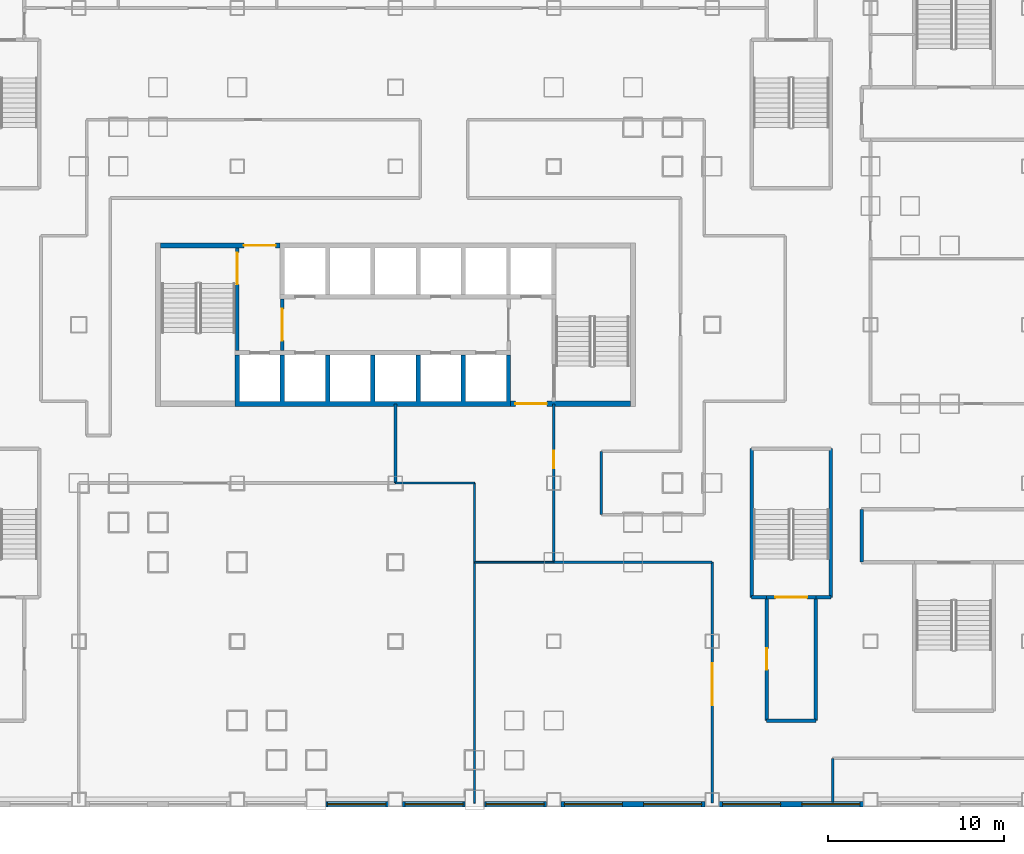
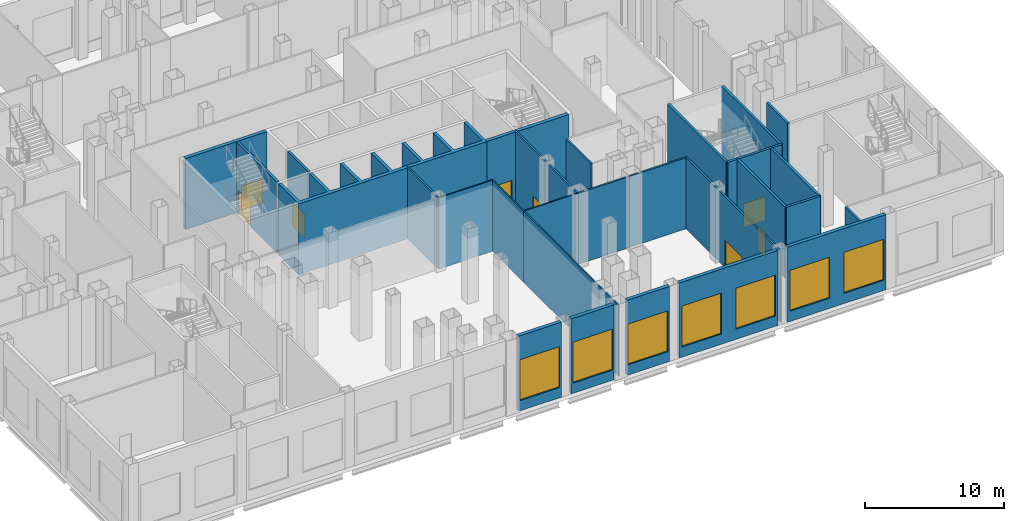
# One storey, part 4 of 26: 29 walls, 8 doors, 7 windows, 15 openings.
"""IFC4 building model written with IfcOpenShell, lengths in metres."""

import ifcopenshell
import ifcopenshell.guid

model = None  # the IFC model being written
_history = None  # IfcOwnerHistory: only IFC2X3 demands one
_inside = {}  # id of a spatial element -> (the spatial element, [elements in it])
_under = {}  # id of a project, library or spatial element -> (it, [spatial elements below it])
_declared = {}  # id of a project -> (the project, [libraries it declares])
_typed = {}  # id of a type object -> (the type object, [elements of that type])
_made_of = {}  # id of a material, layer set ... -> (it, [elements and type objects made of it])


def new_model(schema):
    """Start an empty IFC model of exactly this schema.

    Asked for "IFC4X3", IfcOpenShell would pick the latest addendum, in which some entities
    have other attributes; the version numbers below select the first issue.
    IFC2X3 requires an IfcOwnerHistory on every rooted entity: one is made here for all.
    """
    global model, _history
    if schema == "IFC4X3":
        model = ifcopenshell.file(schema_version=(4, 3, 0, 0))
    else:
        model = ifcopenshell.file(schema=schema)
    _inside.clear()
    _under.clear()
    _declared.clear()
    _typed.clear()
    _made_of.clear()
    _history = None
    if model.schema == "IFC2X3":
        org = make("IfcOrganization", Name="unknown")
        user = make(
            "IfcPersonAndOrganization",
            ThePerson=make("IfcPerson", FamilyName="unknown"),
            TheOrganization=org,
        )
        app = make(
            "IfcApplication",
            ApplicationDeveloper=org,
            Version="unknown",
            ApplicationFullName="unknown",
            ApplicationIdentifier="unknown",
        )
        _history = make(
            "IfcOwnerHistory",
            OwningUser=user,
            OwningApplication=app,
            ChangeAction="ADDED",
            CreationDate=0,
        )
    return model


def make(cls, **values):
    """One entity of the class cls with the attributes given. An attribute that is None is left unset."""
    return model.create_entity(
        cls, **{name: value for name, value in values.items() if value is not None}
    )


def rooted(cls, **values):
    """An entity with a GlobalId (a new one), such as an element, a storey or a relation."""
    return make(cls, GlobalId=ifcopenshell.guid.new(), OwnerHistory=_history, **values)


def si_unit(unit_type, name, prefix=None):
    """IfcSIUnit, for example si_unit("LENGTHUNIT", "METRE", prefix="MILLI")."""
    return make("IfcSIUnit", UnitType=unit_type, Prefix=prefix, Name=name)


def assignment(units):
    """IfcUnitAssignment: the units of a project."""
    return None if units is None else make("IfcUnitAssignment", Units=units)


def point(xyz):
    """IfcCartesianPoint."""
    return None if xyz is None else make("IfcCartesianPoint", Coordinates=xyz)


def direction(xyz):
    """IfcDirection."""
    return None if xyz is None else make("IfcDirection", DirectionRatios=xyz)


def frame(location, z_axis=None, x_axis=None):
    """IfcAxis2Placement3D, a coordinate frame: its origin and axes. An axis left out is left unset."""
    return make(
        "IfcAxis2Placement3D",
        Location=point(location),
        Axis=direction(z_axis),
        RefDirection=direction(x_axis),
    )


def frame_2d(location, x_axis=None):
    """IfcAxis2Placement2D, a coordinate frame in the plane: its origin and x axis."""
    return make(
        "IfcAxis2Placement2D", Location=point(location), RefDirection=direction(x_axis)
    )


def origin():
    """The frame at (0, 0, 0) with its axes left unset."""
    return frame((0.0, 0.0, 0.0))


def place(relative_to, where):
    """IfcLocalPlacement: puts the frame where relative to a parent placement (None: the world)."""
    return make(
        "IfcLocalPlacement", PlacementRelTo=relative_to, RelativePlacement=where
    )


def context(
    kind, dimensions, precision=None, world=None, true_north=None, identifier=None
):
    """IfcGeometricRepresentationContext, for example the 3D "Model" context."""
    return make(
        "IfcGeometricRepresentationContext",
        ContextIdentifier=identifier,
        ContextType=kind,
        CoordinateSpaceDimension=dimensions,
        Precision=precision,
        WorldCoordinateSystem=world,
        TrueNorth=true_north,
    )


def subcontext(parent, identifier, kind, view, scale=None):
    """IfcGeometricRepresentationSubContext, for example "Body" below "Model"."""
    return make(
        "IfcGeometricRepresentationSubContext",
        ContextIdentifier=identifier,
        ContextType=kind,
        ParentContext=parent,
        TargetScale=scale,
        TargetView=view,
    )


def project(units=None, contexts=None):
    """IfcProject with its units and contexts."""
    return rooted(
        "IfcProject",
        Name="project",
        RepresentationContexts=contexts,
        UnitsInContext=assignment(units),
    )


def spatial(cls, under=None, at=None, **own):
    """A site, building, storey or space (cls), placed at a placement, below another one or the project."""
    s = rooted(cls, ObjectPlacement=at, **own)
    if under is not None:
        _under.setdefault(under.id(), (under, []))[1].append(s)
    return s


def polyline(points):
    """IfcPolyline through the points."""
    return make("IfcPolyline", Points=[point(p) for p in points])


def profile(cls, at=None, kind="AREA", **sizes):
    """A parametric profile (cls). Its sizes go by their IFC names, for example OverallWidth=200.0."""
    return make(cls, ProfileType=kind, Position=at, **sizes)


def rectangle(**sizes):
    """IfcRectangleProfileDef."""
    return profile("IfcRectangleProfileDef", **sizes)


def outline(outer, holes=None, kind="AREA"):
    """IfcArbitraryClosedProfileDef: a profile drawn as a closed curve; with holes, ...WithVoids."""
    if holes is None:
        return make("IfcArbitraryClosedProfileDef", ProfileType=kind, OuterCurve=outer)
    return make(
        "IfcArbitraryProfileDefWithVoids",
        ProfileType=kind,
        OuterCurve=outer,
        InnerCurves=holes,
    )


def extrude(swept, where, along, depth):
    """IfcExtrudedAreaSolid: the profile swept, set in the frame where, extruded along a direction by depth."""
    return make(
        "IfcExtrudedAreaSolid",
        SweptArea=swept,
        Position=where,
        ExtrudedDirection=direction(along),
        Depth=depth,
    )


def shape(context_of_items, identifier, shape_type, items):
    """IfcShapeRepresentation: the items that make up one representation, for example the "Body"."""
    return make(
        "IfcShapeRepresentation",
        ContextOfItems=context_of_items,
        RepresentationIdentifier=identifier,
        RepresentationType=shape_type,
        Items=items,
    )


def material(Name=None, Category=None):
    """IfcMaterial."""
    return make("IfcMaterial", Name=Name, Category=Category)


def layer(
    of_material, thickness, ventilated=None, Name=None, Category=None, Priority=None
):
    """IfcMaterialLayer: one layer of a wall or slab, of a material (None: an air gap)."""
    return make(
        "IfcMaterialLayer",
        Material=of_material,
        LayerThickness=thickness,
        IsVentilated=ventilated,
        Name=Name,
        Category=Category,
        Priority=Priority,
    )


def layer_set(layers, Name=None):
    """IfcMaterialLayerSet."""
    return make("IfcMaterialLayerSet", MaterialLayers=layers, LayerSetName=Name)


def made_of(thing, what):
    """Note that an element or type object is made of a material, layer set ...; save() writes the relation."""
    if what is not None:
        _made_of.setdefault(what.id(), (what, []))[1].append(thing)
    return thing


def type_object(cls, material=None, **own):
    """A type object (cls), such as IfcWallType, which elements share."""
    return made_of(rooted(cls, **own), material)


def element(
    cls,
    number,
    at=None,
    inside=None,
    cuts=None,
    type_object=None,
    material=None,
    context=None,
    identifier="Body",
    shape_type=None,
    held_by="IfcProductDefinitionShape",
    body=None,
    shapes=None,
    **own,
):
    """One element of the class cls, such as IfcWall. Its Tag is "e" and its number.

    at: its placement. inside: the storey or other place that contains it. cuts: it is an
    opening in that element (IfcRelVoidsElement). A single representation is given by context,
    identifier, shape_type and body (its items); several are given by shapes. held_by: the class
    of the entity that holds the representations. save() writes the other relations.
    """
    e = rooted(cls, Tag="e%d" % number, ObjectPlacement=at, **own)
    if body is not None:
        shapes = [shape(context, identifier, shape_type, body)]
    if shapes is not None:
        e.Representation = make(held_by, Representations=shapes)
    if inside is not None:
        _inside.setdefault(inside.id(), (inside, []))[1].append(e)
    if cuts is not None:
        rooted(
            "IfcRelVoidsElement", RelatingBuildingElement=cuts, RelatedOpeningElement=e
        )
    if type_object is not None:
        _typed.setdefault(type_object.id(), (type_object, []))[1].append(e)
    return made_of(e, material)


def fill(opening, filler):
    """IfcRelFillsElement: the door or window that sits in an opening."""
    return rooted(
        "IfcRelFillsElement",
        RelatingOpeningElement=opening,
        RelatedBuildingElement=filler,
    )


def aggregate(whole, parts):
    """IfcRelAggregates: a whole, such as a stair, and the parts it consists of."""
    return rooted("IfcRelAggregates", RelatingObject=whole, RelatedObjects=parts)


def save(model, path):
    """Write the relations noted so far, then the file.

    IfcRelAggregates (storeys below a building ...), IfcRelContainedInSpatialStructure (elements
    in a storey), IfcRelDefinesByType, IfcRelAssociatesMaterial and IfcRelDeclares: one each for
    every whole, place, type object, material and project.
    """
    for whole, parts in _under.values():
        aggregate(whole, parts)
    for where, things in _inside.values():
        rooted(
            "IfcRelContainedInSpatialStructure",
            RelatedElements=things,
            RelatingStructure=where,
        )
    for kind, things in _typed.values():
        rooted("IfcRelDefinesByType", RelatedObjects=things, RelatingType=kind)
    for what, things in _made_of.values():
        rooted("IfcRelAssociatesMaterial", RelatedObjects=things, RelatingMaterial=what)
    for by, libraries in _declared.values():
        rooted("IfcRelDeclares", RelatingContext=by, RelatedDefinitions=libraries)
    model.write(path)


model = new_model("IFC4")

# Units and contexts
model_context = context("Model", 3, precision=1e-05, world=origin(), true_north=direction((0.0, 1.0)))
body_context = subcontext(model_context, "Body", "Model", "MODEL_VIEW")
ifc_project = project(units=[si_unit("LENGTHUNIT", "METRE"), si_unit("AREAUNIT", "SQUARE_METRE"), si_unit("VOLUMEUNIT", "CUBIC_METRE"), si_unit("PLANEANGLEUNIT", "RADIAN"), si_unit("MASSUNIT", "GRAM", prefix="KILO")], contexts=[model_context])

# Site, building, storey
site_placement = place(None, origin())
site = spatial("IfcSite", under=ifc_project, at=site_placement, CompositionType="ELEMENT")
building_placement = place(site_placement, origin())
building = spatial("IfcBuilding", under=site, at=building_placement, Name="Caravel Reach Hotel and Residences", CompositionType="ELEMENT")
storey_placement = place(building_placement, frame((0.0, 0.0, 17.39990234375)))
storey = spatial("IfcBuildingStorey", under=building, at=storey_placement, Name="L03", CompositionType="ELEMENT", Elevation=17.39990234375)

# Wall
ifc_material_1 = material(Name="Autoclaved aerated block wall")
ifc_layer_1 = layer(ifc_material_1, 0.199951171875)
ifc_layer_set_1 = layer_set([ifc_layer_1], Name="Compartment wall 200 mm EI 120")
wall_type_1 = type_object("IfcWallType", Name="Compartment wall 200 mm EI 120", PredefinedType="PARTITIONING", material=ifc_layer_set_1)
wall_1_placement = place(storey_placement, frame((52.60009765625, 4.5, 0.0), z_axis=(0.0, 0.0, 1.0), x_axis=(1.0, 0.0, 0.0)))
element("IfcWall", 1, at=wall_1_placement, inside=storey, type_object=wall_type_1, Name="L03 wall w078", PredefinedType="PARTITIONING", context=body_context, shape_type="SweptSolid", body=[
    extrude(rectangle(XDim=2.7998046875, YDim=0.199951171875, at=frame_2d((1.39990234375, 0.0))), origin(), (0.0, 0.0, 1.0), 6.25),
])

# Wall, opening, door
wall_2_placement = place(storey_placement, frame((52.60009765625, 4.5, 0.0), z_axis=(0.0, 0.0, 1.0), x_axis=(0.0, 1.0, 0.0)))
wall_2 = element("IfcWall", 2, at=wall_2_placement, inside=storey, type_object=wall_type_1, Name="L03 wall w091", PredefinedType="PARTITIONING", context=body_context, shape_type="SweptSolid", body=[
    extrude(rectangle(XDim=7.0, YDim=0.199951171875, at=frame_2d((3.5, 0.0))), origin(), (0.0, 0.0, 1.0), 6.25),
])
opening_1_placement = place(wall_2_placement, frame((2.89990234375, 0.0, 0.0)))
opening_1 = element("IfcOpeningElement", 3, at=opening_1_placement, cuts=wall_2, Name="Opening D03-020", PredefinedType="OPENING", context=body_context, shape_type="SweptSolid", body=[
    extrude(rectangle(XDim=1.199951171875, YDim=2.10009765625, at=frame_2d((0.60009765625, 1.050048828125))), frame((0.0, 0.10986328125, 0.0), z_axis=(0.0, -1.0, 0.0), x_axis=(1.0, 0.0, 0.0)), (0.0, 0.0, 1.0), 0.219970703125),
])
ifc_material_2 = material(Name="Steel fire door leaf", Category="steel")
door_type_1 = type_object("IfcDoorType", Name="Fire lobby door 1200 x 2100 EI 90", OperationType="SINGLE_SWING_LEFT", PredefinedType="DOOR", material=ifc_material_2)
door_1_placement = place(opening_1_placement, origin())
door_1 = element("IfcDoor", 4, at=door_1_placement, inside=storey, type_object=door_type_1, Name="door D03-020", OperationType="SINGLE_SWING_RIGHT", OverallHeight=2.10009765625, OverallWidth=1.199951171875, PredefinedType="DOOR", context=body_context, shape_type="SweptSolid", body=[
    extrude(rectangle(XDim=1.199951171875, YDim=2.10009765625, at=frame_2d((0.60009765625, 1.050048828125))), frame((0.0, 0.02490234375, 0.0), z_axis=(0.0, -1.0, 0.0), x_axis=(1.0, 0.0, 0.0)), (0.0, 0.0, 1.0), 0.050048828125),
])
fill(opening_1, door_1)

# Walls
wall_3_placement = place(storey_placement, frame((55.39990234375, 4.5, 0.0), z_axis=(0.0, 0.0, 1.0), x_axis=(0.0, 1.0, 0.0)))
element("IfcWall", 5, at=wall_3_placement, inside=storey, type_object=wall_type_1, Name="L03 wall w093", PredefinedType="PARTITIONING", context=body_context, shape_type="SweptSolid", body=[
    extrude(rectangle(XDim=7.0, YDim=0.199951171875, at=frame_2d((3.5, 0.0))), origin(), (0.0, 0.0, 1.0), 6.25),
])
wall_4_placement = place(storey_placement, frame((58.0, 13.5, 0.0), z_axis=(0.0, 0.0, 1.0), x_axis=(0.0, 1.0, 0.0)))
element("IfcWall", 6, at=wall_4_placement, inside=storey, type_object=wall_type_1, Name="L03 wall w095", PredefinedType="PARTITIONING", context=body_context, shape_type="SweptSolid", body=[
    extrude(rectangle(XDim=3.0, YDim=0.199951171875, at=frame_2d((1.5, 0.0))), origin(), (0.0, 0.0, 1.0), 6.25),
])

# Wall, opening, door
ifc_material_3 = material(Name="Concrete C60", Category="concrete")
ifc_layer_2 = layer(ifc_material_3, 0.300048828125)
ifc_layer_set_2 = layer_set([ifc_layer_2], Name="Core wall 300 mm EI 120")
wall_type_2 = type_object("IfcWallType", Name="Core wall 300 mm EI 120", PredefinedType="SHEAR", material=ifc_layer_set_2)
wall_5_placement = place(storey_placement, frame((38.053466796875, 22.5, 0.0), z_axis=(0.0, 0.0, 1.0), x_axis=(1.0, 0.0, 0.0)))
wall_5 = element("IfcWall", 7, at=wall_5_placement, inside=storey, type_object=wall_type_2, Name="L03 core wall S2", PredefinedType="SHEAR", context=body_context, shape_type="SweptSolid", body=[
    extrude(rectangle(XDim=6.796630859375, YDim=0.300048828125, at=frame_2d((3.3984375, 0.0))), origin(), (0.0, 0.0, 1.0), 6.25),
])
opening_2_placement = place(wall_5_placement, frame((0.2607421875, 0.0, 0.0)))
opening_2 = element("IfcOpeningElement", 8, at=opening_2_placement, cuts=wall_5, Name="Opening D03-013", PredefinedType="OPENING", context=body_context, shape_type="SweptSolid", body=[
    extrude(rectangle(XDim=1.800048828125, YDim=2.10009765625, at=frame_2d((0.89990234375, 1.050048828125))), frame((0.0, 0.159912109375, 0.0), z_axis=(0.0, -1.0, 0.0), x_axis=(1.0, 0.0, 0.0)), (0.0, 0.0, 1.0), 0.320068359375),
])
ifc_material_4 = material(Name="Steel fire door leaf", Category="steel")
door_type_2 = type_object("IfcDoorType", Name="Fire lobby door pair 1800 x 2100 EI 90", OperationType="DOUBLE_DOOR_SINGLE_SWING", PredefinedType="DOOR", material=ifc_material_4)
door_2_placement = place(opening_2_placement, origin())
door_2 = element("IfcDoor", 9, at=door_2_placement, inside=storey, type_object=door_type_2, Name="lobby S door pair to corridor", OperationType="DOUBLE_DOOR_SINGLE_SWING", OverallHeight=2.10009765625, OverallWidth=1.800048828125, PredefinedType="DOOR", context=body_context, shape_type="SweptSolid", body=[
    extrude(rectangle(XDim=1.800048828125, YDim=2.10009765625, at=frame_2d((0.89990234375, 1.050048828125))), frame((0.0, 0.02490234375, 0.0), z_axis=(0.0, -1.0, 0.0), x_axis=(1.0, 0.0, 0.0)), (0.0, 0.0, 1.0), 0.050048828125),
])
fill(opening_2, door_2)

wall_6_placement = place(storey_placement, frame((18.14990234375, 31.5, 0.0), z_axis=(0.0, 0.0, 1.0), x_axis=(1.0, 0.0, 0.0)))
wall_6 = element("IfcWall", 10, at=wall_6_placement, inside=storey, type_object=wall_type_2, Name="L03 core wall N1", PredefinedType="SHEAR", context=body_context, shape_type="SweptSolid", body=[
    extrude(rectangle(XDim=6.796630859375, YDim=0.300048828125, at=frame_2d((3.3984375, 0.0))), origin(), (0.0, 0.0, 1.0), 6.25),
])
opening_3_placement = place(wall_6_placement, frame((4.735595703125, 0.0, 0.0)))
opening_3 = element("IfcOpeningElement", 11, at=opening_3_placement, cuts=wall_6, Name="Opening D03-012", PredefinedType="OPENING", context=body_context, shape_type="SweptSolid", body=[
    extrude(rectangle(XDim=1.800048828125, YDim=2.10009765625, at=frame_2d((0.89990234375, 1.050048828125))), frame((0.0, 0.159912109375, 0.0), z_axis=(0.0, -1.0, 0.0), x_axis=(1.0, 0.0, 0.0)), (0.0, 0.0, 1.0), 0.320068359375),
])
door_3_placement = place(opening_3_placement, origin())
door_3 = element("IfcDoor", 12, at=door_3_placement, inside=storey, type_object=door_type_2, Name="lobby N door pair to corridor", OperationType="DOUBLE_DOOR_SINGLE_SWING", OverallHeight=2.10009765625, OverallWidth=1.800048828125, PredefinedType="DOOR", context=body_context, shape_type="SweptSolid", body=[
    extrude(rectangle(XDim=1.800048828125, YDim=2.10009765625, at=frame_2d((0.89990234375, 1.050048828125))), frame((0.0, 0.02490234375, 0.0), z_axis=(0.0, -1.0, 0.0), x_axis=(1.0, 0.0, 0.0)), (0.0, 0.0, 1.0), 0.050048828125),
])
fill(opening_3, door_3)

# Walls
ifc_material_5 = material(Name="Gypsum board on steel stud, fire-rated", Category="steel")
ifc_layer_3 = layer(ifc_material_5, 0.14990234375)
ifc_layer_set_3 = layer_set([ifc_layer_3], Name="Corridor wall 150 mm EI 60")
wall_type_3 = type_object("IfcWallType", Name="Corridor wall 150 mm EI 60", PredefinedType="PARTITIONING", material=ifc_layer_set_3)
wall_7_placement = place(storey_placement, frame((40.5, 13.5, 0.0), z_axis=(0.0, 0.0, 1.0), x_axis=(1.0, 0.0, 0.0)))
element("IfcWall", 13, at=wall_7_placement, inside=storey, type_object=wall_type_3, Name="L03 wall w003", PredefinedType="PARTITIONING", context=body_context, shape_type="SweptSolid", body=[
    extrude(rectangle(XDim=9.0, YDim=0.14990234375, at=frame_2d((4.5, 0.0))), origin(), (0.0, 0.0, 1.0), 6.25),
])
wall_8_placement = place(storey_placement, frame((31.5, 18.0, 0.0), z_axis=(0.0, 0.0, 1.0), x_axis=(0.0, 1.0, 0.0)))
element("IfcWall", 14, at=wall_8_placement, inside=storey, type_object=wall_type_3, Name="L03 wall w039", PredefinedType="PARTITIONING", context=body_context, shape_type="SweptSolid", body=[
    extrude(rectangle(XDim=4.5, YDim=0.14990234375, at=frame_2d((2.25, 0.0))), origin(), (0.0, 0.0, 1.0), 6.25),
])

# Wall, opening, door
wall_9_placement = place(storey_placement, frame((40.5, 13.5, 0.0), z_axis=(0.0, 0.0, 1.0), x_axis=(0.0, 1.0, 0.0)))
wall_9 = element("IfcWall", 15, at=wall_9_placement, inside=storey, type_object=wall_type_3, Name="L03 wall w045", PredefinedType="PARTITIONING", context=body_context, shape_type="SweptSolid", body=[
    extrude(rectangle(XDim=9.0, YDim=0.14990234375, at=frame_2d((4.5, 0.0))), origin(), (0.0, 0.0, 1.0), 6.25),
])
opening_4_placement = place(wall_9_placement, frame((5.35009765625, 0.0, 0.0)))
opening_4 = element("IfcOpeningElement", 16, at=opening_4_placement, cuts=wall_9, Name="Opening D03-044", PredefinedType="OPENING", context=body_context, shape_type="SweptSolid", body=[
    extrude(rectangle(XDim=1.0, YDim=2.10009765625, at=frame_2d((0.5, 1.050048828125))), frame((0.0, 0.0849609375, 0.0), z_axis=(0.0, -1.0, 0.0), x_axis=(1.0, 0.0, 0.0)), (0.0, 0.0, 1.0), 0.169921875),
])
ifc_material_6 = material(Name="Steel fire door leaf", Category="steel")
door_type_3 = type_object("IfcDoorType", Name="Fire door 1000 x 2100 EI 60", OperationType="SINGLE_SWING_LEFT", PredefinedType="DOOR", material=ifc_material_6)
door_4_placement = place(opening_4_placement, origin())
door_4 = element("IfcDoor", 17, at=door_4_placement, inside=storey, type_object=door_type_3, Name="door D03-044", OperationType="SINGLE_SWING_RIGHT", OverallHeight=2.10009765625, OverallWidth=1.0, PredefinedType="DOOR", context=body_context, shape_type="SweptSolid", body=[
    extrude(rectangle(XDim=1.0, YDim=2.10009765625, at=frame_2d((0.5, 1.050048828125))), frame((0.0, 0.02490234375, 0.0), z_axis=(0.0, -1.0, 0.0), x_axis=(1.0, 0.0, 0.0)), (0.0, 0.0, 1.0), 0.050048828125),
])
fill(opening_4, door_4)

# Wall
wall_10_placement = place(storey_placement, frame((43.199951171875, 16.199951171875, 0.0), z_axis=(0.0, 0.0, 1.0), x_axis=(0.0, 1.0, 0.0)))
element("IfcWall", 18, at=wall_10_placement, inside=storey, type_object=wall_type_3, Name="L03 wall w046", PredefinedType="PARTITIONING", context=body_context, shape_type="SweptSolid", body=[
    extrude(rectangle(XDim=3.60009765625, YDim=0.14990234375, at=frame_2d((1.800048828125, 0.0))), origin(), (0.0, 0.0, 1.0), 6.25),
])

# Wall, opening, door
wall_11_placement = place(storey_placement, frame((49.5, -0.18994140625, 0.0), z_axis=(0.0, 0.0, 1.0), x_axis=(0.0, 1.0, 0.0)))
wall_11 = element("IfcWall", 19, at=wall_11_placement, inside=storey, type_object=wall_type_3, Name="L03 wall w050", PredefinedType="PARTITIONING", context=body_context, shape_type="SweptSolid", body=[
    extrude(rectangle(XDim=13.68994140625, YDim=0.14990234375, at=frame_2d((6.844970703125, 0.0))), origin(), (0.0, 0.0, 1.0), 6.25),
])
opening_5_placement = place(wall_11_placement, frame((5.550048828125, 0.0, 0.0)))
opening_5 = element("IfcOpeningElement", 20, at=opening_5_placement, cuts=wall_11, Name="Opening D03-043", PredefinedType="OPENING", context=body_context, shape_type="SweptSolid", body=[
    extrude(rectangle(XDim=2.39990234375, YDim=2.39990234375, at=frame_2d((1.199951171875, 1.199951171875))), frame((0.0, 0.0849609375, 0.0), z_axis=(0.0, -1.0, 0.0), x_axis=(1.0, 0.0, 0.0)), (0.0, 0.0, 1.0), 0.169921875),
])
ifc_material_7 = material(Name="Timber and steel door leaf", Category="steel")
door_type_4 = type_object("IfcDoorType", Name="Glazed door pair 2400 x 2400", OperationType="DOUBLE_DOOR_SINGLE_SWING", PredefinedType="DOOR", material=ifc_material_7)
door_5_placement = place(opening_5_placement, origin())
door_5 = element("IfcDoor", 21, at=door_5_placement, inside=storey, type_object=door_type_4, Name="door D03-043", OperationType="DOUBLE_DOOR_SINGLE_SWING", OverallHeight=2.39990234375, OverallWidth=2.39990234375, PredefinedType="DOOR", context=body_context, shape_type="SweptSolid", body=[
    extrude(rectangle(XDim=2.39990234375, YDim=2.39990234375, at=frame_2d((1.199951171875, 1.199951171875))), frame((0.0, 0.02490234375, 0.0), z_axis=(0.0, -1.0, 0.0), x_axis=(1.0, 0.0, 0.0)), (0.0, 0.0, 1.0), 0.050048828125),
])
fill(opening_5, door_5)

# Wall
wall_12_placement = place(storey_placement, frame((56.35009765625, -0.1201171875, 0.0), z_axis=(0.0, 0.0, 1.0), x_axis=(0.0, 1.0, 0.0)))
element("IfcWall", 22, at=wall_12_placement, inside=storey, type_object=wall_type_3, Name="L03 wall w052", PredefinedType="PARTITIONING", context=body_context, shape_type="SweptSolid", body=[
    extrude(rectangle(XDim=2.47021484375, YDim=0.14990234375, at=frame_2d((1.235107421875, 0.0))), origin(), (0.0, 0.0, 1.0), 6.25),
])

# Wall, opening, window
ifc_material_8 = material(Name="Insulated wall, stone cladding", Category="masonry")
ifc_layer_4 = layer(ifc_material_8, 0.300048828125)
ifc_layer_set_4 = layer_set([ifc_layer_4], Name="EW2 Podium stone-clad wall")
wall_type_4 = type_object("IfcWallType", Name="EW2 Podium stone-clad wall", PredefinedType="SOLIDWALL", material=ifc_layer_set_4)
wall_13_placement = place(storey_placement, frame((27.550048828125, -0.25, 0.0), z_axis=(0.0, 0.0, 1.0), x_axis=(1.0, 0.0, 0.0)))
wall_13 = element("IfcWall", 23, at=wall_13_placement, inside=storey, type_object=wall_type_4, Name="External wall L03 S4.5", PredefinedType="SOLIDWALL", context=body_context, shape_type="SweptSolid", body=[
    extrude(rectangle(XDim=3.550048828125, YDim=0.300048828125, at=frame_2d((1.77490234375, 0.0))), origin(), (0.0, 0.0, 1.0), 6.60009765625),
])
opening_6_placement = place(wall_13_placement, frame((0.10009765625, 0.0, 0.89990234375)))
opening_6 = element("IfcOpeningElement", 24, at=opening_6_placement, cuts=wall_13, Name="Opening WN31", PredefinedType="OPENING", context=body_context, shape_type="SweptSolid", body=[
    extrude(rectangle(XDim=3.300048828125, YDim=3.60009765625, at=frame_2d((1.64990234375, 1.800048828125))), frame((0.0, 0.159912109375, 0.0), z_axis=(0.0, -1.0, 0.0), x_axis=(1.0, 0.0, 0.0)), (0.0, 0.0, 1.0), 0.320068359375),
])
ifc_material_9 = material(Name="Dark low-e glazing in black aluminium frame", Category="aluminium")
window_type = type_object("IfcWindowType", Name="Podium window 3300 x 3600", PartitioningType="SINGLE_PANEL", PredefinedType="WINDOW", material=ifc_material_9)
window_1_placement = place(opening_6_placement, origin())
window_1 = element("IfcWindow", 25, at=window_1_placement, inside=storey, type_object=window_type, Name="Window L03 S4.5.1", OverallHeight=3.60009765625, OverallWidth=3.300048828125, PartitioningType="SINGLE_PANEL", PredefinedType="WINDOW", context=body_context, shape_type="SweptSolid", body=[
    extrude(rectangle(XDim=3.300048828125, YDim=3.60009765625, at=frame_2d((1.64990234375, 1.800048828125))), frame((0.0, 0.030029296875, 0.0), z_axis=(0.0, -1.0, 0.0), x_axis=(1.0, 0.0, 0.0)), (0.0, 0.0, 1.0), 0.06005859375),
])
fill(opening_6, window_1)

wall_14_placement = place(storey_placement, frame((31.89990234375, -0.25, 0.0), z_axis=(0.0, 0.0, 1.0), x_axis=(1.0, 0.0, 0.0)))
wall_14 = element("IfcWall", 26, at=wall_14_placement, inside=storey, type_object=wall_type_4, Name="External wall L03 S4.6", PredefinedType="SOLIDWALL", context=body_context, shape_type="SweptSolid", body=[
    extrude(rectangle(XDim=3.550048828125, YDim=0.300048828125, at=frame_2d((1.77490234375, 0.0))), origin(), (0.0, 0.0, 1.0), 6.60009765625),
])
opening_7_placement = place(wall_14_placement, frame((0.14990234375, 0.0, 0.89990234375)))
opening_7 = element("IfcOpeningElement", 27, at=opening_7_placement, cuts=wall_14, Name="Opening WN31", PredefinedType="OPENING", context=body_context, shape_type="SweptSolid", body=[
    extrude(rectangle(XDim=3.300048828125, YDim=3.60009765625, at=frame_2d((1.64990234375, 1.800048828125))), frame((0.0, 0.159912109375, 0.0), z_axis=(0.0, -1.0, 0.0), x_axis=(1.0, 0.0, 0.0)), (0.0, 0.0, 1.0), 0.320068359375),
])
window_2_placement = place(opening_7_placement, origin())
window_2 = element("IfcWindow", 28, at=window_2_placement, inside=storey, type_object=window_type, Name="Window L03 S4.6.1", OverallHeight=3.60009765625, OverallWidth=3.300048828125, PartitioningType="SINGLE_PANEL", PredefinedType="WINDOW", context=body_context, shape_type="SweptSolid", body=[
    extrude(rectangle(XDim=3.300048828125, YDim=3.60009765625, at=frame_2d((1.64990234375, 1.800048828125))), frame((0.0, 0.030029296875, 0.0), z_axis=(0.0, -1.0, 0.0), x_axis=(1.0, 0.0, 0.0)), (0.0, 0.0, 1.0), 0.06005859375),
])
fill(opening_7, window_2)

wall_15_placement = place(storey_placement, frame((36.550048828125, -0.25, 0.0), z_axis=(0.0, 0.0, 1.0), x_axis=(1.0, 0.0, 0.0)))
wall_15 = element("IfcWall", 29, at=wall_15_placement, inside=storey, type_object=wall_type_4, Name="External wall L03 S4.7", PredefinedType="SOLIDWALL", context=body_context, shape_type="SweptSolid", body=[
    extrude(rectangle(XDim=3.550048828125, YDim=0.300048828125, at=frame_2d((1.77490234375, 0.0))), origin(), (0.0, 0.0, 1.0), 6.60009765625),
])
opening_8_placement = place(wall_15_placement, frame((0.10009765625, 0.0, 0.89990234375)))
opening_8 = element("IfcOpeningElement", 30, at=opening_8_placement, cuts=wall_15, Name="Opening WN31", PredefinedType="OPENING", context=body_context, shape_type="SweptSolid", body=[
    extrude(rectangle(XDim=3.300048828125, YDim=3.60009765625, at=frame_2d((1.64990234375, 1.800048828125))), frame((0.0, 0.159912109375, 0.0), z_axis=(0.0, -1.0, 0.0), x_axis=(1.0, 0.0, 0.0)), (0.0, 0.0, 1.0), 0.320068359375),
])
window_3_placement = place(opening_8_placement, origin())
window_3 = element("IfcWindow", 31, at=window_3_placement, inside=storey, type_object=window_type, Name="Window L03 S4.7.1", OverallHeight=3.60009765625, OverallWidth=3.300048828125, PartitioningType="SINGLE_PANEL", PredefinedType="WINDOW", context=body_context, shape_type="SweptSolid", body=[
    extrude(rectangle(XDim=3.300048828125, YDim=3.60009765625, at=frame_2d((1.64990234375, 1.800048828125))), frame((0.0, 0.030029296875, 0.0), z_axis=(0.0, -1.0, 0.0), x_axis=(1.0, 0.0, 0.0)), (0.0, 0.0, 1.0), 0.06005859375),
])
fill(opening_8, window_3)

# Wall, openings, windows
wall_16_placement = place(storey_placement, frame((40.89990234375, -0.25, 0.0), z_axis=(0.0, 0.0, 1.0), x_axis=(1.0, 0.0, 0.0)))
wall_16 = element("IfcWall", 32, at=wall_16_placement, inside=storey, type_object=wall_type_4, Name="External wall L03 S4.8", PredefinedType="SOLIDWALL", context=body_context, shape_type="SweptSolid", body=[
    extrude(rectangle(XDim=8.2001953125, YDim=0.300048828125, at=frame_2d((4.10009765625, 0.0))), origin(), (0.0, 0.0, 1.0), 6.60009765625),
])
opening_9_placement = place(wall_16_placement, frame((0.199951171875, 0.0, 0.89990234375)))
opening_9 = element("IfcOpeningElement", 33, at=opening_9_placement, cuts=wall_16, Name="Opening WN31", PredefinedType="OPENING", context=body_context, shape_type="SweptSolid", body=[
    extrude(rectangle(XDim=3.300048828125, YDim=3.60009765625, at=frame_2d((1.64990234375, 1.800048828125))), frame((0.0, 0.159912109375, 0.0), z_axis=(0.0, -1.0, 0.0), x_axis=(1.0, 0.0, 0.0)), (0.0, 0.0, 1.0), 0.320068359375),
])
opening_10_placement = place(wall_16_placement, frame((4.699951171875, 0.0, 0.89990234375)))
opening_10 = element("IfcOpeningElement", 34, at=opening_10_placement, cuts=wall_16, Name="Opening WN31", PredefinedType="OPENING", context=body_context, shape_type="SweptSolid", body=[
    extrude(rectangle(XDim=3.300048828125, YDim=3.60009765625, at=frame_2d((1.64990234375, 1.800048828125))), frame((0.0, 0.159912109375, 0.0), z_axis=(0.0, -1.0, 0.0), x_axis=(1.0, 0.0, 0.0)), (0.0, 0.0, 1.0), 0.320068359375),
])
window_4_placement = place(opening_9_placement, origin())
window_4 = element("IfcWindow", 35, at=window_4_placement, inside=storey, type_object=window_type, Name="Window L03 S4.8.1", OverallHeight=3.60009765625, OverallWidth=3.300048828125, PartitioningType="SINGLE_PANEL", PredefinedType="WINDOW", context=body_context, shape_type="SweptSolid", body=[
    extrude(rectangle(XDim=3.300048828125, YDim=3.60009765625, at=frame_2d((1.64990234375, 1.800048828125))), frame((0.0, 0.030029296875, 0.0), z_axis=(0.0, -1.0, 0.0), x_axis=(1.0, 0.0, 0.0)), (0.0, 0.0, 1.0), 0.06005859375),
])
fill(opening_9, window_4)
window_5_placement = place(opening_10_placement, origin())
window_5 = element("IfcWindow", 36, at=window_5_placement, inside=storey, type_object=window_type, Name="Window L03 S4.8.2", OverallHeight=3.60009765625, OverallWidth=3.300048828125, PartitioningType="SINGLE_PANEL", PredefinedType="WINDOW", context=body_context, shape_type="SweptSolid", body=[
    extrude(rectangle(XDim=3.300048828125, YDim=3.60009765625, at=frame_2d((1.64990234375, 1.800048828125))), frame((0.0, 0.030029296875, 0.0), z_axis=(0.0, -1.0, 0.0), x_axis=(1.0, 0.0, 0.0)), (0.0, 0.0, 1.0), 0.06005859375),
])
fill(opening_10, window_5)

wall_17_placement = place(storey_placement, frame((49.89990234375, -0.25, 0.0), z_axis=(0.0, 0.0, 1.0), x_axis=(1.0, 0.0, 0.0)))
wall_17 = element("IfcWall", 37, at=wall_17_placement, inside=storey, type_object=wall_type_4, Name="External wall L03 S4.9", PredefinedType="SOLIDWALL", context=body_context, shape_type="SweptSolid", body=[
    extrude(rectangle(XDim=8.2001953125, YDim=0.300048828125, at=frame_2d((4.10009765625, 0.0))), origin(), (0.0, 0.0, 1.0), 6.60009765625),
])
opening_11_placement = place(wall_17_placement, frame((0.199951171875, 0.0, 0.89990234375)))
opening_11 = element("IfcOpeningElement", 38, at=opening_11_placement, cuts=wall_17, Name="Opening WN31", PredefinedType="OPENING", context=body_context, shape_type="SweptSolid", body=[
    extrude(rectangle(XDim=3.300048828125, YDim=3.60009765625, at=frame_2d((1.64990234375, 1.800048828125))), frame((0.0, 0.159912109375, 0.0), z_axis=(0.0, -1.0, 0.0), x_axis=(1.0, 0.0, 0.0)), (0.0, 0.0, 1.0), 0.320068359375),
])
opening_12_placement = place(wall_17_placement, frame((4.699951171875, 0.0, 0.89990234375)))
opening_12 = element("IfcOpeningElement", 39, at=opening_12_placement, cuts=wall_17, Name="Opening WN31", PredefinedType="OPENING", context=body_context, shape_type="SweptSolid", body=[
    extrude(rectangle(XDim=3.300048828125, YDim=3.60009765625, at=frame_2d((1.64990234375, 1.800048828125))), frame((0.0, 0.159912109375, 0.0), z_axis=(0.0, -1.0, 0.0), x_axis=(1.0, 0.0, 0.0)), (0.0, 0.0, 1.0), 0.320068359375),
])
window_6_placement = place(opening_11_placement, origin())
window_6 = element("IfcWindow", 40, at=window_6_placement, inside=storey, type_object=window_type, Name="Window L03 S4.9.1", OverallHeight=3.60009765625, OverallWidth=3.300048828125, PartitioningType="SINGLE_PANEL", PredefinedType="WINDOW", context=body_context, shape_type="SweptSolid", body=[
    extrude(rectangle(XDim=3.300048828125, YDim=3.60009765625, at=frame_2d((1.64990234375, 1.800048828125))), frame((0.0, 0.030029296875, 0.0), z_axis=(0.0, -1.0, 0.0), x_axis=(1.0, 0.0, 0.0)), (0.0, 0.0, 1.0), 0.06005859375),
])
fill(opening_11, window_6)
window_7_placement = place(opening_12_placement, origin())
window_7 = element("IfcWindow", 41, at=window_7_placement, inside=storey, type_object=window_type, Name="Window L03 S4.9.2", OverallHeight=3.60009765625, OverallWidth=3.300048828125, PartitioningType="SINGLE_PANEL", PredefinedType="WINDOW", context=body_context, shape_type="SweptSolid", body=[
    extrude(rectangle(XDim=3.300048828125, YDim=3.60009765625, at=frame_2d((1.64990234375, 1.800048828125))), frame((0.0, 0.030029296875, 0.0), z_axis=(0.0, -1.0, 0.0), x_axis=(1.0, 0.0, 0.0)), (0.0, 0.0, 1.0), 0.06005859375),
])
fill(opening_12, window_7)

# Wall, opening, door
ifc_material_10 = material(Name="Autoclaved aerated block wall")
ifc_layer_5 = layer(ifc_material_10, 0.199951171875)
ifc_layer_set_5 = layer_set([ifc_layer_5], Name="Fire lobby wall 200 mm EI 120")
wall_type_5 = type_object("IfcWallType", Name="Fire lobby wall 200 mm EI 120", PredefinedType="PARTITIONING", material=ifc_layer_set_5)
wall_18_placement = place(storey_placement, frame((25.071533203125, 25.52490234375, 0.0), z_axis=(0.0, 0.0, 1.0), x_axis=(0.0, 1.0, 0.0)))
wall_18 = element("IfcWall", 42, at=wall_18_placement, inside=storey, type_object=wall_type_5, Name="L03 lobby W wall", PredefinedType="PARTITIONING", context=body_context, shape_type="SweptSolid", body=[
    extrude(rectangle(XDim=2.9501953125, YDim=0.199951171875, at=frame_2d((1.47509765625, 0.0))), origin(), (0.0, 0.0, 1.0), 6.25),
])
opening_13_placement = place(wall_18_placement, frame((0.574951171875, 0.0, 0.0)))
opening_13 = element("IfcOpeningElement", 43, at=opening_13_placement, cuts=wall_18, Name="Opening D03-010", PredefinedType="OPENING", context=body_context, shape_type="SweptSolid", body=[
    extrude(rectangle(XDim=1.800048828125, YDim=2.10009765625, at=frame_2d((0.89990234375, 1.050048828125))), frame((0.0, 0.10986328125, 0.0), z_axis=(0.0, -1.0, 0.0), x_axis=(1.0, 0.0, 0.0)), (0.0, 0.0, 1.0), 0.219970703125),
])
door_6_placement = place(opening_13_placement, origin())
door_6 = element("IfcDoor", 44, at=door_6_placement, inside=storey, type_object=door_type_2, Name="lobby W door pair", OperationType="DOUBLE_DOOR_SINGLE_SWING", OverallHeight=2.10009765625, OverallWidth=1.800048828125, PredefinedType="DOOR", context=body_context, shape_type="SweptSolid", body=[
    extrude(rectangle(XDim=1.800048828125, YDim=2.10009765625, at=frame_2d((0.89990234375, 1.050048828125))), frame((0.0, 0.02490234375, 0.0), z_axis=(0.0, -1.0, 0.0), x_axis=(1.0, 0.0, 0.0)), (0.0, 0.0, 1.0), 0.050048828125),
])
fill(opening_13, door_6)

# Walls
ifc_material_11 = material(Name="Gypsum board on steel stud", Category="steel")
ifc_layer_6 = layer(ifc_material_11, 0.10009765625)
ifc_layer_set_6 = layer_set([ifc_layer_6], Name="Partition 100 mm")
wall_type_6 = type_object("IfcWallType", Name="Partition 100 mm", PredefinedType="PARTITIONING", material=ifc_layer_set_6)
for number, where, z_axis, x_axis, name in (
    (45, (36.0, 13.5, 0.0), (0.0, 0.0, 1.0), (1.0, 0.0, 0.0), "L03 wall w059"),
    (46, (31.5, 18.0, 0.0), (0.0, 0.0, 1.0), (1.0, 0.0, 0.0), "L03 wall w060"),
):
    element("IfcWall", number, at=place(storey_placement, frame(where, z_axis=z_axis, x_axis=x_axis)), inside=storey, type_object=wall_type_6, Name=name, PredefinedType="PARTITIONING", context=body_context, shape_type="SweptSolid", body=[
        extrude(rectangle(XDim=4.5, YDim=0.10009765625, at=frame_2d((2.25, 0.0))), origin(), (0.0, 0.0, 1.0), 6.25),
    ])
wall_19_placement = place(storey_placement, frame((36.0, -0.18994140625, 0.0), z_axis=(0.0, 0.0, 1.0), x_axis=(0.0, 1.0, 0.0)))
element("IfcWall", 47, at=wall_19_placement, inside=storey, type_object=wall_type_6, Name="L03 wall w067", PredefinedType="PARTITIONING", context=body_context, shape_type="SweptSolid", body=[
    extrude(rectangle(XDim=13.68994140625, YDim=0.10009765625, at=frame_2d((6.844970703125, 0.0))), origin(), (0.0, 0.0, 1.0), 6.25),
])
wall_20_placement = place(storey_placement, frame((36.0, 13.5, 0.0), z_axis=(0.0, 0.0, 1.0), x_axis=(0.0, 1.0, 0.0)))
element("IfcWall", 48, at=wall_20_placement, inside=storey, type_object=wall_type_6, Name="L03 wall w068", PredefinedType="PARTITIONING", context=body_context, shape_type="SweptSolid", body=[
    extrude(rectangle(XDim=4.5, YDim=0.10009765625, at=frame_2d((2.25, 0.0))), origin(), (0.0, 0.0, 1.0), 6.25),
])
ifc_material_12 = material(Name="Concrete C60", Category="concrete")
ifc_layer_7 = layer(ifc_material_12, 0.25)
ifc_layer_set_7 = layer_set([ifc_layer_7], Name="Shaft wall 250 mm EI 120")
wall_type_7 = type_object("IfcWallType", Name="Shaft wall 250 mm EI 120", PredefinedType="SHEAR", material=ifc_layer_set_7)
wall_21_placement = place(storey_placement, origin())
element("IfcWall", 49, at=wall_21_placement, inside=storey, type_object=wall_type_7, Name="L03 lift shaft wall S1", PredefinedType="SHEAR", context=body_context, shape_type="SweptSolid", body=[
    extrude(outline(polyline([(22.375, 22.35009765625), (38.053466796875, 22.35009765625), (38.053466796875, 25.27490234375), (37.803466796875, 25.27490234375), (37.803466796875, 22.64990234375), (35.482177734375, 22.64990234375), (35.482177734375, 25.27490234375), (35.232177734375, 25.27490234375), (35.232177734375, 22.64990234375), (32.91064453125, 22.64990234375), (32.91064453125, 25.27490234375), (32.66064453125, 25.27490234375), (32.66064453125, 22.64990234375), (30.33935546875, 22.64990234375), (30.33935546875, 25.27490234375), (30.08935546875, 25.27490234375), (30.08935546875, 22.64990234375), (27.767822265625, 22.64990234375), (27.767822265625, 25.27490234375), (27.517822265625, 25.27490234375), (27.517822265625, 22.64990234375), (25.196533203125, 22.64990234375), (25.196533203125, 25.27490234375), (24.946533203125, 25.27490234375), (24.946533203125, 22.64990234375), (22.625, 22.64990234375), (22.625, 25.27490234375), (22.375, 25.27490234375), (22.375, 22.35009765625)])), origin(), (0.0, 0.0, 1.0), 6.25),
])

# Wall, opening, door
ifc_material_13 = material(Name="Concrete C60", Category="concrete")
ifc_layer_8 = layer(ifc_material_13, 0.199951171875)
ifc_layer_set_8 = layer_set([ifc_layer_8], Name="Stair enclosure wall 200 mm EI 120")
wall_type_8 = type_object("IfcWallType", Name="Stair enclosure wall 200 mm EI 120", PredefinedType="SHEAR", material=ifc_layer_set_8)
wall_22_placement = place(storey_placement, frame((22.5, 31.35009765625, 0.0), z_axis=(0.0, 0.0, 1.0), x_axis=(0.0, -1.0, 0.0)))
wall_22 = element("IfcWall", 50, at=wall_22_placement, inside=storey, type_object=wall_type_8, Name="L03 stair A wall", PredefinedType="SHEAR", context=body_context, shape_type="SweptSolid", body=[
    extrude(rectangle(XDim=5.8251953125, YDim=0.199951171875, at=frame_2d((2.91259765625, 0.0))), origin(), (0.0, 0.0, 1.0), 6.25),
])
opening_14_placement = place(wall_22_placement, frame((0.25, 0.0, 0.0)))
opening_14 = element("IfcOpeningElement", 51, at=opening_14_placement, cuts=wall_22, Name="Opening D03-008", PredefinedType="OPENING", context=body_context, shape_type="SweptSolid", body=[
    extrude(rectangle(XDim=1.800048828125, YDim=2.10009765625, at=frame_2d((0.89990234375, 1.050048828125))), frame((0.0, 0.10986328125, 0.0), z_axis=(0.0, -1.0, 0.0), x_axis=(1.0, 0.0, 0.0)), (0.0, 0.0, 1.0), 0.219970703125),
])
ifc_material_14 = material(Name="Steel fire door leaf", Category="steel")
door_type_5 = type_object("IfcDoorType", Name="Stair door pair 1800 x 2100 EI 90", OperationType="DOUBLE_DOOR_SINGLE_SWING", PredefinedType="DOOR", material=ifc_material_14)
door_7_placement = place(opening_14_placement, origin())
door_7 = element("IfcDoor", 52, at=door_7_placement, inside=storey, type_object=door_type_5, Name="stair A door pair", OperationType="DOUBLE_DOOR_SINGLE_SWING", OverallHeight=2.10009765625, OverallWidth=1.800048828125, PredefinedType="DOOR", context=body_context, shape_type="SweptSolid", body=[
    extrude(rectangle(XDim=1.800048828125, YDim=2.10009765625, at=frame_2d((0.89990234375, 1.050048828125))), frame((0.0, 0.02490234375, 0.0), z_axis=(0.0, -1.0, 0.0), x_axis=(1.0, 0.0, 0.0)), (0.0, 0.0, 1.0), 0.050048828125),
])
fill(opening_14, door_7)

# Walls
for number, where, z_axis, x_axis, name in (
    (53, (51.75, 11.5, 0.0), (0.0, 0.0, 1.0), (1.0, 0.0, 0.0), "L03 wall w102"),
    (54, (55.39990234375, 11.5, 0.0), (0.0, 0.0, 1.0), (1.0, 0.0, 0.0), "L03 wall w103"),
):
    element("IfcWall", number, at=place(storey_placement, frame(where, z_axis=z_axis, x_axis=x_axis)), inside=storey, type_object=wall_type_8, Name=name, PredefinedType="SHEAR", context=body_context, shape_type="SweptSolid", body=[
        extrude(rectangle(XDim=0.85009765625, YDim=0.199951171875, at=frame_2d((0.425048828125, 0.0))), origin(), (0.0, 0.0, 1.0), 6.25),
    ])

# Wall, opening, door
wall_23_placement = place(storey_placement, frame((52.60009765625, 11.5, 0.0), z_axis=(0.0, 0.0, 1.0), x_axis=(1.0, 0.0, 0.0)))
wall_23 = element("IfcWall", 55, at=wall_23_placement, inside=storey, type_object=wall_type_8, Name="L03 wall w104", PredefinedType="SHEAR", context=body_context, shape_type="SweptSolid", body=[
    extrude(rectangle(XDim=2.7998046875, YDim=0.199951171875, at=frame_2d((1.39990234375, 0.0))), origin(), (0.0, 0.0, 1.0), 6.25),
])
opening_15_placement = place(wall_23_placement, frame((0.5, 0.0, 0.0)))
opening_15 = element("IfcOpeningElement", 56, at=opening_15_placement, cuts=wall_23, Name="Opening D03-021", PredefinedType="OPENING", context=body_context, shape_type="SweptSolid", body=[
    extrude(rectangle(XDim=1.800048828125, YDim=2.10009765625, at=frame_2d((0.89990234375, 1.050048828125))), frame((0.0, 0.10986328125, 0.0), z_axis=(0.0, -1.0, 0.0), x_axis=(1.0, 0.0, 0.0)), (0.0, 0.0, 1.0), 0.219970703125),
])
door_8_placement = place(opening_15_placement, origin())
door_8 = element("IfcDoor", 57, at=door_8_placement, inside=storey, type_object=door_type_5, Name="door D03-021", OperationType="DOUBLE_DOOR_SINGLE_SWING", OverallHeight=2.10009765625, OverallWidth=1.800048828125, PredefinedType="DOOR", context=body_context, shape_type="SweptSolid", body=[
    extrude(rectangle(XDim=1.800048828125, YDim=2.10009765625, at=frame_2d((0.89990234375, 1.050048828125))), frame((0.0, 0.02490234375, 0.0), z_axis=(0.0, -1.0, 0.0), x_axis=(1.0, 0.0, 0.0)), (0.0, 0.0, 1.0), 0.050048828125),
])
fill(opening_15, door_8)

# Walls
for number, where, z_axis, x_axis, name in (
    (58, (51.75, 11.5, 0.0), (0.0, 0.0, 1.0), (0.0, 1.0, 0.0), "L03 wall w127"),
    (59, (56.25, 11.5, 0.0), (0.0, 0.0, 1.0), (0.0, 1.0, 0.0), "L03 wall w129"),
):
    element("IfcWall", number, at=place(storey_placement, frame(where, z_axis=z_axis, x_axis=x_axis)), inside=storey, type_object=wall_type_8, Name=name, PredefinedType="SHEAR", context=body_context, shape_type="SweptSolid", body=[
        extrude(rectangle(XDim=8.449951171875, YDim=0.199951171875, at=frame_2d((4.22509765625, 0.0))), origin(), (0.0, 0.0, 1.0), 6.25),
    ])

save(model, "model.ifc")
